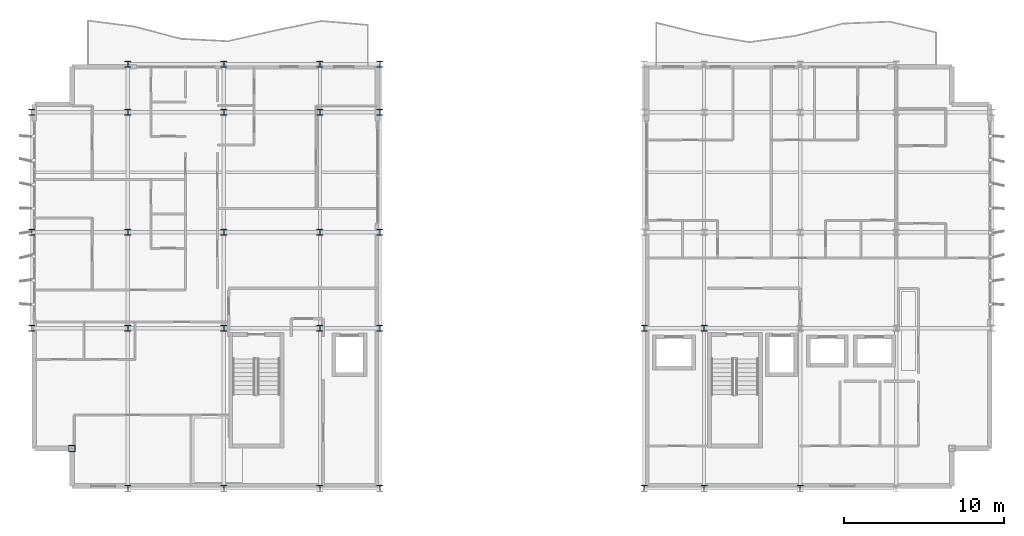
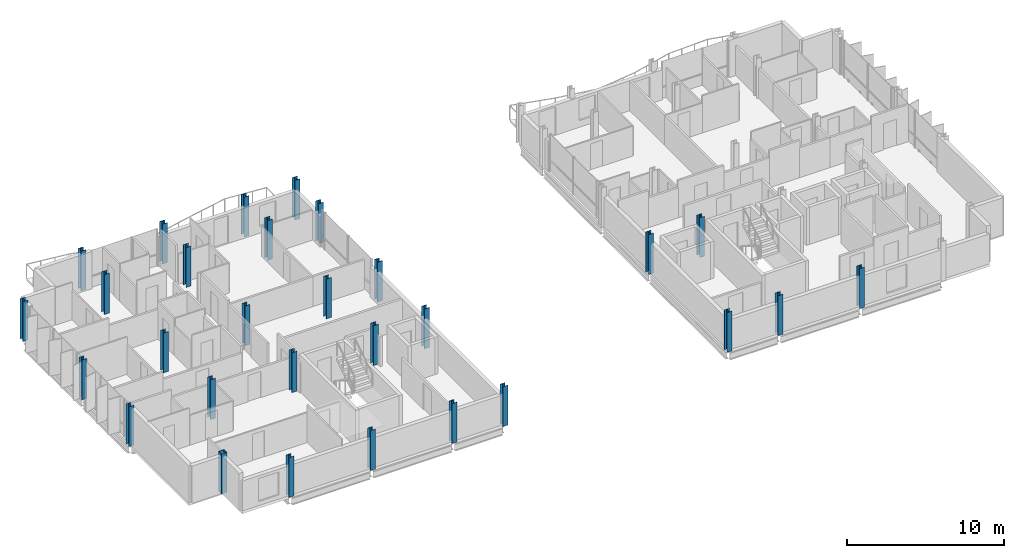
# One storey, part 1 of 30: 29 columns.
"""IFC4 building model written with IfcOpenShell, lengths in metres."""

from ifc_helpers import new_model, si_unit, direction, frame, origin, origin_2d, place, context, subcontext, project, spatial, hollow_rectangle, i_section, extrude, material, material_profile, profile_set, type_object, element, save


model = new_model("IFC4")

# Units and contexts
model_context = context("Model", 3, precision=1e-05, world=origin(), true_north=direction((0.0, 1.0)))
body_context = subcontext(model_context, "Body", "Model", "MODEL_VIEW")
ifc_project = project(units=[si_unit("LENGTHUNIT", "METRE"), si_unit("AREAUNIT", "SQUARE_METRE"), si_unit("VOLUMEUNIT", "CUBIC_METRE"), si_unit("PLANEANGLEUNIT", "RADIAN"), si_unit("MASSUNIT", "GRAM", prefix="KILO")], contexts=[model_context])

# Site, building, storey
site_placement = place(None, origin())
site = spatial("IfcSite", under=ifc_project, at=site_placement, CompositionType="ELEMENT")
building_placement = place(site_placement, origin())
building = spatial("IfcBuilding", under=site, at=building_placement, Name="Brevholm Reach", CompositionType="ELEMENT")
storey_placement = place(building_placement, frame((0.0, 0.0, 204.89990234375)))
storey = spatial("IfcBuildingStorey", under=building, at=storey_placement, Name="L62", CompositionType="ELEMENT", Elevation=204.89990234375)

# Columns
ifc_material_1 = material(Name="Structural Steel S460NH", Category="steel")
ifc_material_profile_1 = material_profile(ifc_material_1, hollow_rectangle(XDim=0.39990234375, YDim=0.39990234375, WallThickness=0.02001953125, InnerFilletRadius=0.011962890625, OuterFilletRadius=0.02392578125, at=origin_2d()), Name="SHS 400x400x20")
ifc_profile_set_1 = profile_set([ifc_material_profile_1], Name="Structural Steel S460NH")
column_type_1 = type_object("IfcColumnType", Name="COL-SHS2", PredefinedType="COLUMN", material=ifc_profile_set_1)
column_placement = place(storey_placement, frame((2.5, 2.5, 0.0), z_axis=(0.0, 0.0, 1.0), x_axis=(1.0, 0.0, 0.0)))
element("IfcColumn", 1, at=column_placement, inside=storey, type_object=column_type_1, Name="L62 Column 04", PredefinedType="COLUMN", context=body_context, shape_type="SweptSolid", body=[
    extrude(hollow_rectangle(XDim=0.39990234375, YDim=0.39990234375, WallThickness=0.02001953125, InnerFilletRadius=0.011962890625, OuterFilletRadius=0.02392578125, at=origin_2d()), origin(), (0.0, 0.0, 1.0), 3.10009765625),
])
ifc_material_2 = material(Name="Structural Steel S355J2", Category="steel")
ifc_material_profile_2 = material_profile(ifc_material_2, i_section(OverallWidth=0.374755859375, OverallDepth=0.37451171875, WebThickness=0.0166015625, FlangeThickness=0.027099609375, FilletRadius=0.01513671875, at=origin_2d()), Name="UKC 356x368x202")
ifc_profile_set_2 = profile_set([ifc_material_profile_2], Name="Structural Steel S355J2")
column_type_2 = type_object("IfcColumnType", Name="COL-UC6", PredefinedType="COLUMN", material=ifc_profile_set_2)
for number, where, z_axis, x_axis, name in (
    (2, (0.0, 10.0, 0.0), (0.0, 0.0, 1.0), (1.0, 0.0, 0.0), "L62 Column 01"),
    (3, (0.0, 16.0, 0.0), (0.0, 0.0, 1.0), (1.0, 0.0, 0.0), "L62 Column 02"),
    (4, (0.0, 23.5, 0.0), (0.0, 0.0, 1.0), (1.0, 0.0, 0.0), "L62 Column 03"),
    (5, (6.0, 0.0, 0.0), (0.0, 0.0, 1.0), (1.0, 0.0, 0.0), "L62 Column 05"),
    (6, (6.0, 10.0, 0.0), (0.0, 0.0, 1.0), (1.0, 0.0, 0.0), "L62 Column 06"),
    (7, (6.0, 16.0, 0.0), (0.0, 0.0, 1.0), (1.0, 0.0, 0.0), "L62 Column 07"),
    (8, (6.0, 23.5, 0.0), (0.0, 0.0, 1.0), (1.0, 0.0, 0.0), "L62 Column 08"),
    (9, (6.0, 26.5, 0.0), (0.0, 0.0, 1.0), (1.0, 0.0, 0.0), "L62 Column 09"),
    (10, (12.0, 0.0, 0.0), (0.0, 0.0, 1.0), (1.0, 0.0, 0.0), "L62 Column 10"),
    (11, (12.0, 10.0, 0.0), (0.0, 0.0, 1.0), (1.0, 0.0, 0.0), "L62 Column 11"),
    (12, (12.0, 16.0, 0.0), (0.0, 0.0, 1.0), (1.0, 0.0, 0.0), "L62 Column 12"),
    (13, (12.0, 23.5, 0.0), (0.0, 0.0, 1.0), (1.0, 0.0, 0.0), "L62 Column 13"),
    (14, (12.0, 26.5, 0.0), (0.0, 0.0, 1.0), (1.0, 0.0, 0.0), "L62 Column 14"),
    (15, (18.0, 0.0, 0.0), (0.0, 0.0, 1.0), (1.0, 0.0, 0.0), "L62 Column 15"),
    (16, (18.0, 10.0, 0.0), (0.0, 0.0, 1.0), (1.0, 0.0, 0.0), "L62 Column 16"),
    (17, (18.0, 16.0, 0.0), (0.0, 0.0, 1.0), (1.0, 0.0, 0.0), "L62 Column 17"),
    (18, (18.0, 23.5, 0.0), (0.0, 0.0, 1.0), (1.0, 0.0, 0.0), "L62 Column 18"),
    (19, (18.0, 26.5, 0.0), (0.0, 0.0, 1.0), (1.0, 0.0, 0.0), "L62 Column 19"),
    (20, (21.75, 0.0, 0.0), (0.0, 0.0, 1.0), (1.0, 0.0, 0.0), "L62 Column 20"),
    (21, (21.75, 10.0, 0.0), (0.0, 0.0, 1.0), (1.0, 0.0, 0.0), "L62 Column 21"),
    (22, (21.75, 16.0, 0.0), (0.0, 0.0, 1.0), (1.0, 0.0, 0.0), "L62 Column 22"),
    (23, (21.75, 23.5, 0.0), (0.0, 0.0, 1.0), (1.0, 0.0, 0.0), "L62 Column 23"),
    (24, (21.75, 26.5, 0.0), (0.0, 0.0, 1.0), (1.0, 0.0, 0.0), "L62 Column 24"),
    (25, (38.25, 0.0, 0.0), (0.0, 0.0, 1.0), (1.0, 0.0, 0.0), "L62 Column 25"),
    (26, (38.25, 10.0, 0.0), (0.0, 0.0, 1.0), (1.0, 0.0, 0.0), "L62 Column 26"),
    (27, (42.0, 0.0, 0.0), (0.0, 0.0, 1.0), (1.0, 0.0, 0.0), "L62 Column 30"),
    (28, (42.0, 10.0, 0.0), (0.0, 0.0, 1.0), (1.0, 0.0, 0.0), "L62 Column 31"),
    (29, (48.0, 0.0, 0.0), (0.0, 0.0, 1.0), (1.0, 0.0, 0.0), "L62 Column 35"),
):
    element("IfcColumn", number, at=place(storey_placement, frame(where, z_axis=z_axis, x_axis=x_axis)), inside=storey, type_object=column_type_2, Name=name, PredefinedType="COLUMN", context=body_context, shape_type="SweptSolid", body=[
        extrude(i_section(OverallWidth=0.374755859375, OverallDepth=0.37451171875, WebThickness=0.0166015625, FlangeThickness=0.027099609375, FilletRadius=0.01513671875, at=origin_2d()), origin(), (0.0, 0.0, 1.0), 3.10009765625),
    ])

save(model, "model.ifc")
